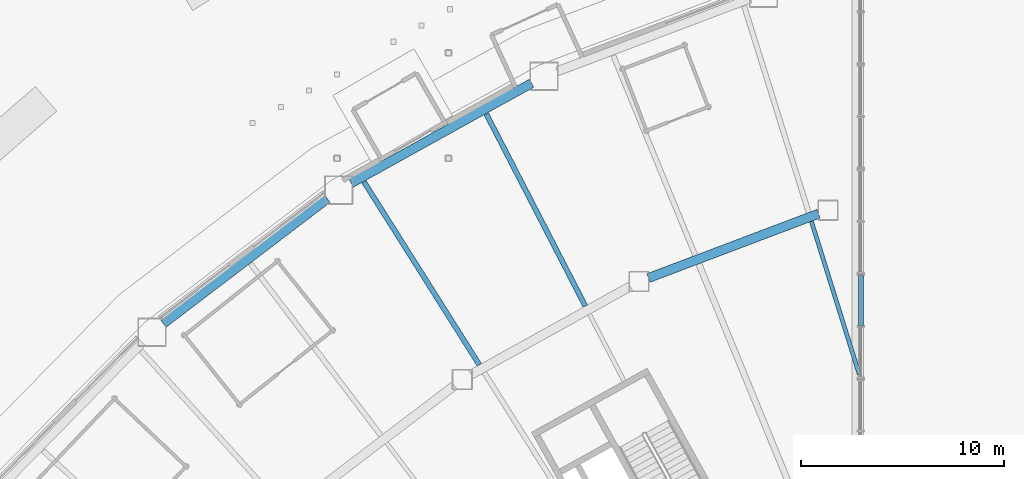
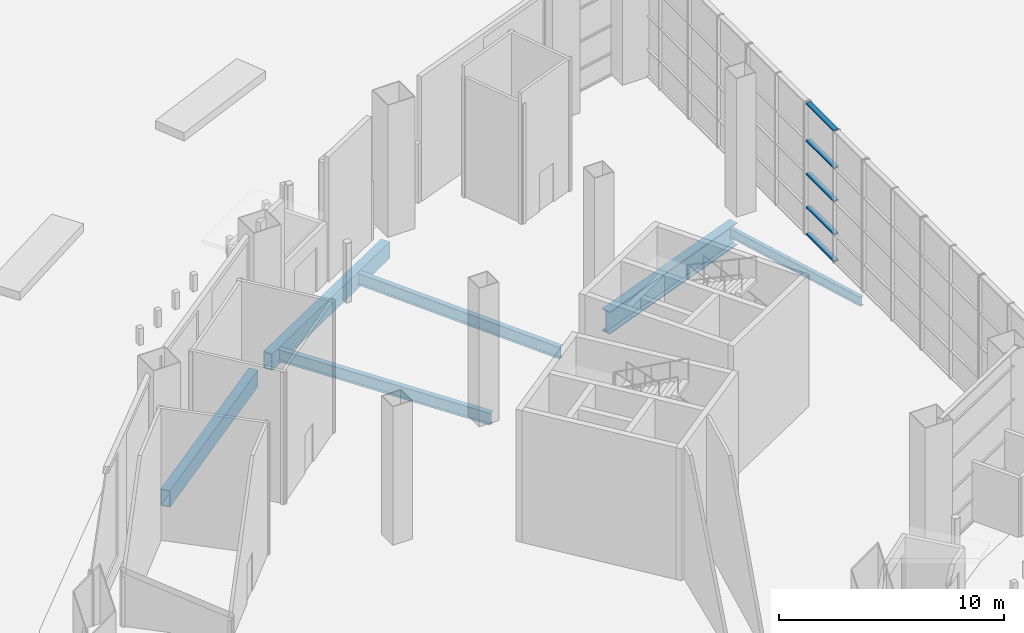
# One storey, part 17 of 45: 6 beams, 5 members, 1 element without a shape of its own.
"""IFC4 building model written with IfcOpenShell, lengths in metres."""

from ifc_helpers import new_model, si_unit, direction, frame, origin, origin_2d, place, context, subcontext, project, spatial, hollow_rectangle, i_section, extrude, material, layer, layer_set, material_profile, profile_set, type_object, element, aggregate, save


model = new_model("IFC4")

# Units and contexts
model_context = context("Model", 3, precision=1e-05, world=origin(), true_north=direction((0.0, 1.0)))
body_context = subcontext(model_context, "Body", "Model", "MODEL_VIEW")
ifc_project = project(units=[si_unit("LENGTHUNIT", "METRE"), si_unit("AREAUNIT", "SQUARE_METRE"), si_unit("VOLUMEUNIT", "CUBIC_METRE"), si_unit("PLANEANGLEUNIT", "RADIAN"), si_unit("MASSUNIT", "GRAM", prefix="KILO")], contexts=[model_context])

# Site, building, storey
site_placement = place(None, origin())
site = spatial("IfcSite", under=ifc_project, at=site_placement, CompositionType="ELEMENT")
building_placement = place(site_placement, origin())
building = spatial("IfcBuilding", under=site, at=building_placement, Name="Tuul Gate Civic Tower", CompositionType="ELEMENT")
storey_placement = place(building_placement, origin())
storey = spatial("IfcBuildingStorey", under=building, at=storey_placement, Name="Level 00", CompositionType="ELEMENT", Elevation=0.0)

# Curtain wall, members
ifc_material_1 = material(Name="Stainless steel", Category="steel")
ifc_layer = layer(ifc_material_1, 0.199951171875)
ifc_layer_set = layer_set([ifc_layer], Name="Stainless steel")
curtain_wall_type = type_object("IfcCurtainWallType", Name="Curtain wall CW2", PredefinedType="NOTDEFINED", material=ifc_layer_set)
curtain_wall_placement = place(storey_placement, origin())
curtain_wall = element("IfcCurtainWall", 1, at=curtain_wall_placement, inside=storey, type_object=curtain_wall_type, Name="Curtain wall CW2", PredefinedType="NOTDEFINED")
ifc_material_2 = material(Name="Stainless steel", Category="steel")
ifc_material_profile_1 = material_profile(ifc_material_2, hollow_rectangle(XDim=0.25, YDim=0.080078125, WallThickness=0.006103515625, at=origin_2d()), Name="CW2 transom")
ifc_profile_set_1 = profile_set([ifc_material_profile_1], Name="Stainless steel")
member_type = type_object("IfcMemberType", Name="CW2 transom", PredefinedType="USERDEFINED", material=ifc_profile_set_1)
member_1_placement = place(storey_placement, frame((-18.0, 0.25439453125, 0.0400390625), z_axis=(0.0, 1.0, 0.0), x_axis=(-1.0, 0.0, 0.0)))
member_1 = element("IfcMember", 2, at=member_1_placement, type_object=member_type, Name="Transom", ObjectType="TRANSOM", PredefinedType="USERDEFINED", context=body_context, shape_type="SweptSolid", body=[
    extrude(hollow_rectangle(XDim=0.25, YDim=0.080078125, WallThickness=0.006103515625, at=origin_2d()), origin(), (0.0, 0.0, 1.0), 2.458740234375),
])
member_2_placement = place(storey_placement, frame((-18.0, 0.25439453125, 1.5), z_axis=(0.0, 1.0, 0.0), x_axis=(-1.0, 0.0, 0.0)))
member_2 = element("IfcMember", 3, at=member_2_placement, type_object=member_type, Name="Transom", ObjectType="TRANSOM", PredefinedType="USERDEFINED", context=body_context, shape_type="SweptSolid", body=[
    extrude(hollow_rectangle(XDim=0.25, YDim=0.080078125, WallThickness=0.006103515625, at=origin_2d()), origin(), (0.0, 0.0, 1.0), 2.458740234375),
])
member_3_placement = place(storey_placement, frame((-18.0, 0.25439453125, 3.300048828125), z_axis=(0.0, 1.0, 0.0), x_axis=(-1.0, 0.0, 0.0)))
member_3 = element("IfcMember", 4, at=member_3_placement, type_object=member_type, Name="Transom", ObjectType="TRANSOM", PredefinedType="USERDEFINED", context=body_context, shape_type="SweptSolid", body=[
    extrude(hollow_rectangle(XDim=0.25, YDim=0.080078125, WallThickness=0.006103515625, at=origin_2d()), origin(), (0.0, 0.0, 1.0), 2.458740234375),
])
member_4_placement = place(storey_placement, frame((-18.0, 0.25439453125, 5.10009765625), z_axis=(0.0, 1.0, 0.0), x_axis=(-1.0, 0.0, 0.0)))
member_4 = element("IfcMember", 5, at=member_4_placement, type_object=member_type, Name="Transom", ObjectType="TRANSOM", PredefinedType="USERDEFINED", context=body_context, shape_type="SweptSolid", body=[
    extrude(hollow_rectangle(XDim=0.25, YDim=0.080078125, WallThickness=0.006103515625, at=origin_2d()), origin(), (0.0, 0.0, 1.0), 2.458740234375),
])
member_5_placement = place(storey_placement, frame((-18.0, 0.25439453125, 7.110107421875), z_axis=(0.0, 1.0, 0.0), x_axis=(-1.0, 0.0, 0.0)))
member_5 = element("IfcMember", 6, at=member_5_placement, type_object=member_type, Name="Transom", ObjectType="TRANSOM", PredefinedType="USERDEFINED", context=body_context, shape_type="SweptSolid", body=[
    extrude(hollow_rectangle(XDim=0.25, YDim=0.080078125, WallThickness=0.006103515625, at=origin_2d()), origin(), (0.0, 0.0, 1.0), 2.458740234375),
])
aggregate(curtain_wall, [member_1, member_2, member_3, member_4, member_5])

# Beams
ifc_material_3 = material(Name="Steel S355", Category="steel")
ifc_material_profile_2 = material_profile(ifc_material_3, i_section(OverallWidth=0.199951171875, OverallDepth=0.5, WebThickness=0.010009765625, FlangeThickness=0.01611328125, at=origin_2d()), Name="PG500x200x10x16")
ifc_profile_set_2 = profile_set([ifc_material_profile_2], Name="Steel S355")
beam_type_1 = type_object("IfcBeamType", Name="STR-FLOOR BEAM-PG500x200x10x16", PredefinedType="BEAM", material=ifc_profile_set_2)
beam_1_placement = place(storey_placement, frame((-18.074951171875, -2.170654296875, -0.64990234375), z_axis=(-0.298327718904, 0.954463499634, 0.0), x_axis=(-0.954463499634, -0.298327718904, 0.0)))
element("IfcBeam", 7, at=beam_1_placement, inside=storey, type_object=beam_type_1, Name="Floor beam", PredefinedType="BEAM", context=body_context, shape_type="SweptSolid", body=[
    extrude(i_section(OverallWidth=0.199951171875, OverallDepth=0.5, WebThickness=0.010009765625, FlangeThickness=0.01611328125, at=origin_2d()), origin(), (0.0, 0.0, 1.0), 7.909423828125),
])
ifc_material_4 = material(Name="Steel S355", Category="steel")
ifc_material_profile_3 = material_profile(ifc_material_4, i_section(OverallWidth=0.25, OverallDepth=0.64990234375, WebThickness=0.011962890625, FlangeThickness=0.02001953125, at=origin_2d()), Name="PG650x250x12x20")
ifc_profile_set_3 = profile_set([ifc_material_profile_3], Name="Steel S355")
beam_type_2 = type_object("IfcBeamType", Name="STR-FLOOR BEAM-PG650x250x12x20", PredefinedType="BEAM", material=ifc_profile_set_3)
beam_2_placement = place(storey_placement, frame((-31.556884765625, 1.205078125, -0.72509765625), z_axis=(-0.458267871085, 0.888814130362, 0.0), x_axis=(-0.888814130362, -0.458267871085, 0.0)))
element("IfcBeam", 8, at=beam_2_placement, inside=storey, type_object=beam_type_2, Name="Floor beam", PredefinedType="BEAM", context=body_context, shape_type="SweptSolid", body=[
    extrude(i_section(OverallWidth=0.25, OverallDepth=0.64990234375, WebThickness=0.011962890625, FlangeThickness=0.02001953125, at=origin_2d()), origin(), (0.0, 0.0, 1.0), 10.6298828125),
])
beam_3_placement = place(storey_placement, frame((-36.771484375, -1.685546875, -0.72509765625), z_axis=(-0.533386929433, 0.845871375275, 0.0), x_axis=(-0.845871375275, -0.533386929433, 0.0)))
element("IfcBeam", 9, at=beam_3_placement, inside=storey, type_object=beam_type_2, Name="Floor beam", PredefinedType="BEAM", context=body_context, shape_type="SweptSolid", body=[
    extrude(i_section(OverallWidth=0.25, OverallDepth=0.64990234375, WebThickness=0.011962890625, FlangeThickness=0.02001953125, at=origin_2d()), origin(), (0.0, 0.0, 1.0), 10.641845703125),
])
ifc_material_5 = material(Name="Steel S355", Category="steel")
ifc_material_profile_4 = material_profile(ifc_material_5, i_section(OverallWidth=0.449951171875, OverallDepth=1.199951171875, WebThickness=0.02001953125, FlangeThickness=0.0400390625, at=origin_2d()), Name="PG1200x450x20x40")
ifc_profile_set_4 = profile_set([ifc_material_profile_4], Name="Steel S355")
beam_type_3 = type_object("IfcBeamType", Name="STR-RING BEAM-PG1200x450x20x40", PredefinedType="BEAM", material=ifc_profile_set_4)
beam_4_placement = place(storey_placement, frame((-28.4462890625, 2.58984375, -1.0), z_axis=(0.935363691273, 0.353687383218, 0.0), x_axis=(-0.353687383218, 0.935363691273, 0.0)))
element("IfcBeam", 10, at=beam_4_placement, inside=storey, type_object=beam_type_3, Name="Ring girder", PredefinedType="BEAM", context=body_context, shape_type="SweptSolid", body=[
    extrude(i_section(OverallWidth=0.449951171875, OverallDepth=1.199951171875, WebThickness=0.02001953125, FlangeThickness=0.0400390625, at=origin_2d()), origin(), (0.0, 0.0, 1.0), 8.938232421875),
])
ifc_material_6 = material(Name="Steel S355", Category="steel")
ifc_material_profile_5 = material_profile(ifc_material_6, hollow_rectangle(XDim=0.449951171875, YDim=0.89990234375, WallThickness=0.02490234375, at=origin_2d()), Name="BOX900x450x25")
ifc_profile_set_5 = profile_set([ifc_material_profile_5], Name="Steel S355")
beam_type_4 = type_object("IfcBeamType", Name="STR-SPANDREL BEAM-BOX900x450x25", PredefinedType="BEAM", material=ifc_profile_set_5)
for number, where, z_axis, x_axis, name in (
    (11, (-34.204345703125, 12.171630859375, -0.85009765625), (-0.874621074476, -0.484807153497, 0.0), (0.484807153497, -0.874621074476, 0.0), "Spandrel beam"),
    (12, (-44.248046875, 6.489013671875, -0.85009765625), (-0.795616160285, -0.605801060987, 0.0), (0.605801060987, -0.795616160285, 0.0), "Spandrel beam"),
):
    element("IfcBeam", number, at=place(storey_placement, frame(where, z_axis=z_axis, x_axis=x_axis)), inside=storey, type_object=beam_type_4, Name=name, PredefinedType="BEAM", context=body_context, shape_type="SweptSolid", body=[
        extrude(hollow_rectangle(XDim=0.449951171875, YDim=0.89990234375, WallThickness=0.02490234375, at=origin_2d()), origin(), (0.0, 0.0, 1.0), 10.146728515625),
    ])

save(model, "model.ifc")
